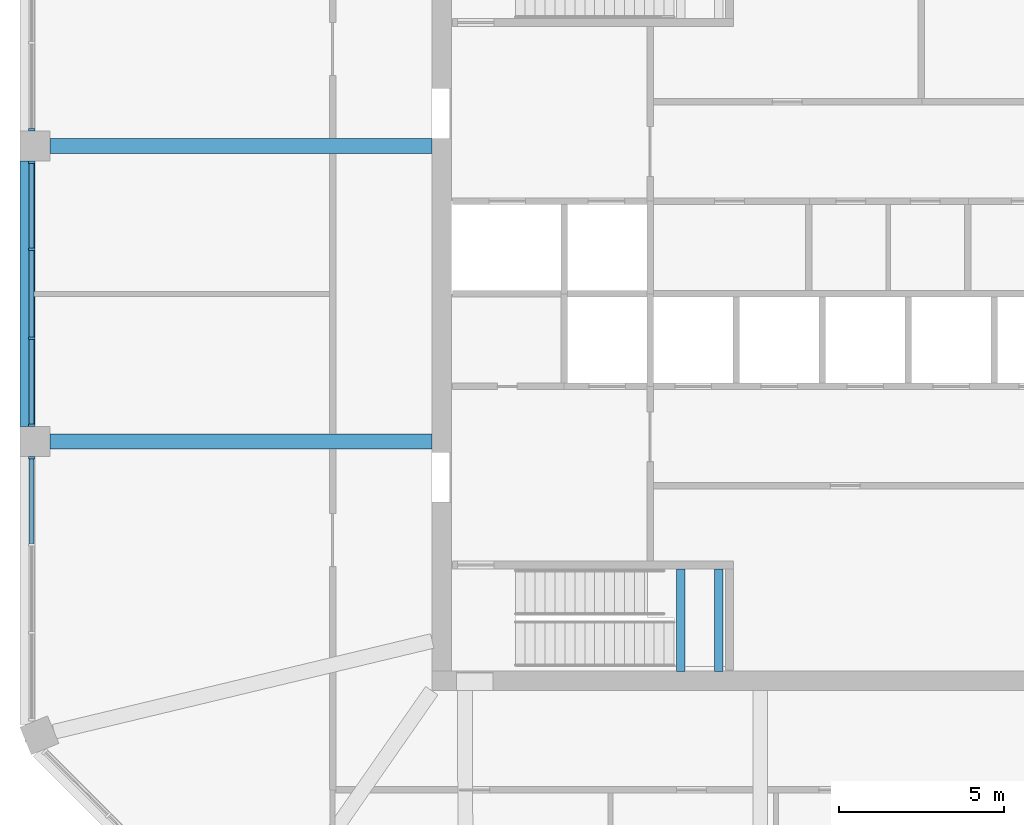
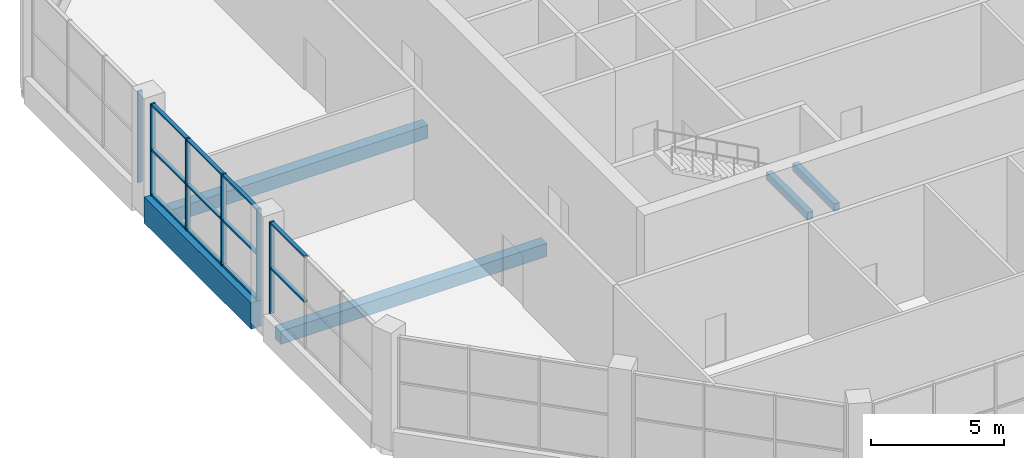
# One storey, part 3 of 15: 17 members, 5 beams, 3 elements without a shape of their own.
"""IFC4 building model written with IfcOpenShell, lengths in metres."""

import ifcopenshell
import ifcopenshell.guid

model = None  # the IFC model being written
_history = None  # IfcOwnerHistory: only IFC2X3 demands one
_inside = {}  # id of a spatial element -> (the spatial element, [elements in it])
_under = {}  # id of a project, library or spatial element -> (it, [spatial elements below it])
_declared = {}  # id of a project -> (the project, [libraries it declares])
_typed = {}  # id of a type object -> (the type object, [elements of that type])
_made_of = {}  # id of a material, layer set ... -> (it, [elements and type objects made of it])


def new_model(schema):
    """Start an empty IFC model of exactly this schema.

    Asked for "IFC4X3", IfcOpenShell would pick the latest addendum, in which some entities
    have other attributes; the version numbers below select the first issue.
    IFC2X3 requires an IfcOwnerHistory on every rooted entity: one is made here for all.
    """
    global model, _history
    if schema == "IFC4X3":
        model = ifcopenshell.file(schema_version=(4, 3, 0, 0))
    else:
        model = ifcopenshell.file(schema=schema)
    _inside.clear()
    _under.clear()
    _declared.clear()
    _typed.clear()
    _made_of.clear()
    _history = None
    if model.schema == "IFC2X3":
        org = make("IfcOrganization", Name="unknown")
        user = make(
            "IfcPersonAndOrganization",
            ThePerson=make("IfcPerson", FamilyName="unknown"),
            TheOrganization=org,
        )
        app = make(
            "IfcApplication",
            ApplicationDeveloper=org,
            Version="unknown",
            ApplicationFullName="unknown",
            ApplicationIdentifier="unknown",
        )
        _history = make(
            "IfcOwnerHistory",
            OwningUser=user,
            OwningApplication=app,
            ChangeAction="ADDED",
            CreationDate=0,
        )
    return model


def make(cls, **values):
    """One entity of the class cls with the attributes given. An attribute that is None is left unset."""
    return model.create_entity(
        cls, **{name: value for name, value in values.items() if value is not None}
    )


def rooted(cls, **values):
    """An entity with a GlobalId (a new one), such as an element, a storey or a relation."""
    return make(cls, GlobalId=ifcopenshell.guid.new(), OwnerHistory=_history, **values)


def si_unit(unit_type, name, prefix=None):
    """IfcSIUnit, for example si_unit("LENGTHUNIT", "METRE", prefix="MILLI")."""
    return make("IfcSIUnit", UnitType=unit_type, Prefix=prefix, Name=name)


def assignment(units):
    """IfcUnitAssignment: the units of a project."""
    return None if units is None else make("IfcUnitAssignment", Units=units)


def point(xyz):
    """IfcCartesianPoint."""
    return None if xyz is None else make("IfcCartesianPoint", Coordinates=xyz)


def direction(xyz):
    """IfcDirection."""
    return None if xyz is None else make("IfcDirection", DirectionRatios=xyz)


def frame(location, z_axis=None, x_axis=None):
    """IfcAxis2Placement3D, a coordinate frame: its origin and axes. An axis left out is left unset."""
    return make(
        "IfcAxis2Placement3D",
        Location=point(location),
        Axis=direction(z_axis),
        RefDirection=direction(x_axis),
    )


def frame_2d(location, x_axis=None):
    """IfcAxis2Placement2D, a coordinate frame in the plane: its origin and x axis."""
    return make(
        "IfcAxis2Placement2D", Location=point(location), RefDirection=direction(x_axis)
    )


def origin():
    """The frame at (0, 0, 0) with its axes left unset."""
    return frame((0.0, 0.0, 0.0))


def origin_2d():
    """The frame at (0, 0) in the plane with its x axis left unset."""
    return frame_2d((0.0, 0.0))


def place(relative_to, where):
    """IfcLocalPlacement: puts the frame where relative to a parent placement (None: the world)."""
    return make(
        "IfcLocalPlacement", PlacementRelTo=relative_to, RelativePlacement=where
    )


def context(
    kind, dimensions, precision=None, world=None, true_north=None, identifier=None
):
    """IfcGeometricRepresentationContext, for example the 3D "Model" context."""
    return make(
        "IfcGeometricRepresentationContext",
        ContextIdentifier=identifier,
        ContextType=kind,
        CoordinateSpaceDimension=dimensions,
        Precision=precision,
        WorldCoordinateSystem=world,
        TrueNorth=true_north,
    )


def subcontext(parent, identifier, kind, view, scale=None):
    """IfcGeometricRepresentationSubContext, for example "Body" below "Model"."""
    return make(
        "IfcGeometricRepresentationSubContext",
        ContextIdentifier=identifier,
        ContextType=kind,
        ParentContext=parent,
        TargetScale=scale,
        TargetView=view,
    )


def project(units=None, contexts=None):
    """IfcProject with its units and contexts."""
    return rooted(
        "IfcProject",
        Name="project",
        RepresentationContexts=contexts,
        UnitsInContext=assignment(units),
    )


def spatial(cls, under=None, at=None, **own):
    """A site, building, storey or space (cls), placed at a placement, below another one or the project."""
    s = rooted(cls, ObjectPlacement=at, **own)
    if under is not None:
        _under.setdefault(under.id(), (under, []))[1].append(s)
    return s


def profile(cls, at=None, kind="AREA", **sizes):
    """A parametric profile (cls). Its sizes go by their IFC names, for example OverallWidth=200.0."""
    return make(cls, ProfileType=kind, Position=at, **sizes)


def rectangle(**sizes):
    """IfcRectangleProfileDef."""
    return profile("IfcRectangleProfileDef", **sizes)


def extrude(swept, where, along, depth):
    """IfcExtrudedAreaSolid: the profile swept, set in the frame where, extruded along a direction by depth."""
    return make(
        "IfcExtrudedAreaSolid",
        SweptArea=swept,
        Position=where,
        ExtrudedDirection=direction(along),
        Depth=depth,
    )


def shape(context_of_items, identifier, shape_type, items):
    """IfcShapeRepresentation: the items that make up one representation, for example the "Body"."""
    return make(
        "IfcShapeRepresentation",
        ContextOfItems=context_of_items,
        RepresentationIdentifier=identifier,
        RepresentationType=shape_type,
        Items=items,
    )


def material(Name=None, Category=None):
    """IfcMaterial."""
    return make("IfcMaterial", Name=Name, Category=Category)


def material_profile(
    of_material, cross_section, Name=None, Category=None, Priority=None
):
    """IfcMaterialProfile: a cross section and its material."""
    return make(
        "IfcMaterialProfile",
        Name=Name,
        Material=of_material,
        Profile=cross_section,
        Priority=Priority,
        Category=Category,
    )


def profile_set(profiles, Name=None, composite=None):
    """IfcMaterialProfileSet."""
    return make(
        "IfcMaterialProfileSet",
        Name=Name,
        MaterialProfiles=profiles,
        CompositeProfile=composite,
    )


def made_of(thing, what):
    """Note that an element or type object is made of a material, layer set ...; save() writes the relation."""
    if what is not None:
        _made_of.setdefault(what.id(), (what, []))[1].append(thing)
    return thing


def type_object(cls, material=None, **own):
    """A type object (cls), such as IfcWallType, which elements share."""
    return made_of(rooted(cls, **own), material)


def element(
    cls,
    number,
    at=None,
    inside=None,
    cuts=None,
    type_object=None,
    material=None,
    context=None,
    identifier="Body",
    shape_type=None,
    held_by="IfcProductDefinitionShape",
    body=None,
    shapes=None,
    **own,
):
    """One element of the class cls, such as IfcWall. Its Tag is "e" and its number.

    at: its placement. inside: the storey or other place that contains it. cuts: it is an
    opening in that element (IfcRelVoidsElement). A single representation is given by context,
    identifier, shape_type and body (its items); several are given by shapes. held_by: the class
    of the entity that holds the representations. save() writes the other relations.
    """
    e = rooted(cls, Tag="e%d" % number, ObjectPlacement=at, **own)
    if body is not None:
        shapes = [shape(context, identifier, shape_type, body)]
    if shapes is not None:
        e.Representation = make(held_by, Representations=shapes)
    if inside is not None:
        _inside.setdefault(inside.id(), (inside, []))[1].append(e)
    if cuts is not None:
        rooted(
            "IfcRelVoidsElement", RelatingBuildingElement=cuts, RelatedOpeningElement=e
        )
    if type_object is not None:
        _typed.setdefault(type_object.id(), (type_object, []))[1].append(e)
    return made_of(e, material)


def aggregate(whole, parts):
    """IfcRelAggregates: a whole, such as a stair, and the parts it consists of."""
    return rooted("IfcRelAggregates", RelatingObject=whole, RelatedObjects=parts)


def save(model, path):
    """Write the relations noted so far, then the file.

    IfcRelAggregates (storeys below a building ...), IfcRelContainedInSpatialStructure (elements
    in a storey), IfcRelDefinesByType, IfcRelAssociatesMaterial and IfcRelDeclares: one each for
    every whole, place, type object, material and project.
    """
    for whole, parts in _under.values():
        aggregate(whole, parts)
    for where, things in _inside.values():
        rooted(
            "IfcRelContainedInSpatialStructure",
            RelatedElements=things,
            RelatingStructure=where,
        )
    for kind, things in _typed.values():
        rooted("IfcRelDefinesByType", RelatedObjects=things, RelatingType=kind)
    for what, things in _made_of.values():
        rooted("IfcRelAssociatesMaterial", RelatedObjects=things, RelatingMaterial=what)
    for by, libraries in _declared.values():
        rooted("IfcRelDeclares", RelatingContext=by, RelatedDefinitions=libraries)
    model.write(path)


model = new_model("IFC4")

# Units and contexts
model_context = context("Model", 3, precision=1e-05, world=origin(), true_north=direction((0.0, 1.0)))
body_context = subcontext(model_context, "Body", "Model", "MODEL_VIEW")
ifc_project = project(units=[si_unit("LENGTHUNIT", "METRE"), si_unit("AREAUNIT", "SQUARE_METRE"), si_unit("VOLUMEUNIT", "CUBIC_METRE"), si_unit("PLANEANGLEUNIT", "RADIAN"), si_unit("MASSUNIT", "GRAM", prefix="KILO")], contexts=[model_context])

# Site, building, storey
site_placement = place(None, origin())
site = spatial("IfcSite", under=ifc_project, at=site_placement, CompositionType="ELEMENT")
building_placement = place(site_placement, origin())
building = spatial("IfcBuilding", under=site, at=building_placement, Name="Msitu Wima Residences", CompositionType="ELEMENT")
storey_placement = place(building_placement, frame((0.0, 0.0, 314.699951171875)))
storey = spatial("IfcBuildingStorey", under=building, at=storey_placement, Name="L73", CompositionType="ELEMENT", Elevation=314.699951171875)

# Beams
ifc_material_1 = material(Name="Concrete C50/60", Category="concrete")
ifc_material_profile_1 = material_profile(ifc_material_1, rectangle(XDim=0.449951171875, YDim=0.60009765625, at=origin_2d()), Name="RC 450x600")
ifc_profile_set_1 = profile_set([ifc_material_profile_1], Name="Concrete C50/60")
beam_type_1 = type_object("IfcBeamType", Name="Beam RC 450x600 Concrete C50/60", PredefinedType="BEAM", material=ifc_profile_set_1)
for number, where, z_axis, x_axis, name in (
    (1, (-25.949951171875, 4.46875, -0.599853515625), (1.0, 0.0, 0.0), (0.0, 1.0, 0.0), "Beam L73 C-W1"),
    (2, (-25.949951171875, -4.46875, -0.599853515625), (1.0, 0.0, 0.0), (0.0, 1.0, 0.0), "Beam L73 C-W2"),
):
    element("IfcBeam", number, at=place(storey_placement, frame(where, z_axis=z_axis, x_axis=x_axis)), inside=storey, type_object=beam_type_1, Name=name, PredefinedType="BEAM", context=body_context, shape_type="SweptSolid", body=[
        extrude(rectangle(XDim=0.449951171875, YDim=0.60009765625, at=origin_2d()), origin(), (0.0, 0.0, 1.0), 11.550048828125),
    ])
ifc_material_2 = material(Name="Concrete C40/50", Category="concrete")
ifc_material_profile_2 = material_profile(ifc_material_2, rectangle(XDim=0.25, YDim=0.35009765625, at=origin_2d()), Name="RC 250x350")
ifc_profile_set_2 = profile_set([ifc_material_profile_2], Name="Concrete C40/50")
beam_type_2 = type_object("IfcBeamType", Name="Landing beam RC 250x350", PredefinedType="BEAM", material=ifc_profile_set_2)
for number, where, z_axis, x_axis, name in (
    (3, (-6.875, -11.425048828125, 2.406982421875), (0.0, 1.0, 0.0), (-1.0, 0.0, 0.0), "Stair 2 landing beam"),
    (4, (-5.72509765625, -11.425048828125, 2.406982421875), (0.0, 1.0, 0.0), (-1.0, 0.0, 0.0), "Stair 2 landing beam"),
):
    element("IfcBeam", number, at=place(storey_placement, frame(where, z_axis=z_axis, x_axis=x_axis)), inside=storey, type_object=beam_type_2, Name=name, PredefinedType="BEAM", context=body_context, shape_type="SweptSolid", body=[
        extrude(rectangle(XDim=0.25, YDim=0.35009765625, at=origin_2d()), origin(), (0.0, 0.0, 1.0), 3.10009765625),
    ])

# Curtain wall, member
ifc_material_3 = material(Name="Anodised aluminium, bronze finish, solar control laminated double glazing", Category="aluminium")
curtain_wall_type = type_object("IfcCurtainWallType", Name="Curtain wall CW3 top lounge wall", PredefinedType="NOTDEFINED", material=ifc_material_3)
curtain_wall_1_placement = place(storey_placement, origin())
curtain_wall_1 = element("IfcCurtainWall", 5, at=curtain_wall_1_placement, inside=storey, type_object=curtain_wall_type, Name="Curtain wall CW3 L73 W0", PredefinedType="NOTDEFINED")
ifc_material_4 = material(Name="Anodised aluminium, bronze finish", Category="aluminium")
ifc_material_profile_3 = material_profile(ifc_material_4, rectangle(XDim=0.199951171875, YDim=0.074951171875, at=origin_2d()), Name="Mullion 75x200")
ifc_profile_set_3 = profile_set([ifc_material_profile_3], Name="Anodised aluminium, bronze finish")
member_type_1 = type_object("IfcMemberType", Name="Mullion CW3 75x200", PredefinedType="MULLION", material=ifc_profile_set_3)
member_1_placement = place(storey_placement, frame((-26.5, 4.9560546875, 0.900146484375), z_axis=(0.0, 0.0, 1.0), x_axis=(1.0, 0.0, 0.0)))
member_1 = element("IfcMember", 6, at=member_1_placement, type_object=member_type_1, Name="CW3 mullion 4", PredefinedType="MULLION", context=body_context, shape_type="SweptSolid", body=[
    extrude(rectangle(XDim=0.199951171875, YDim=0.074951171875, at=origin_2d()), origin(), (0.0, 0.0, 1.0), 4.199951171875),
])
aggregate(curtain_wall_1, [member_1])

# Curtain wall, members
curtain_wall_2_placement = place(storey_placement, origin())
curtain_wall_2 = element("IfcCurtainWall", 7, at=curtain_wall_2_placement, inside=storey, type_object=curtain_wall_type, Name="Curtain wall CW3 L73 W1", PredefinedType="NOTDEFINED")
member_2_placement = place(storey_placement, frame((-26.5, 3.981201171875, 0.900146484375), z_axis=(0.0, 0.0, 1.0), x_axis=(1.0, 0.0, 0.0)))
member_2 = element("IfcMember", 8, at=member_2_placement, type_object=member_type_1, Name="CW3 mullion 1", PredefinedType="MULLION", context=body_context, shape_type="SweptSolid", body=[
    extrude(rectangle(XDim=0.199951171875, YDim=0.074951171875, at=origin_2d()), origin(), (0.0, 0.0, 1.0), 4.199951171875),
])
member_3_placement = place(storey_placement, frame((-26.5, 1.339599609375, 0.900146484375), z_axis=(0.0, 0.0, 1.0), x_axis=(1.0, 0.0, 0.0)))
member_3 = element("IfcMember", 9, at=member_3_placement, type_object=member_type_1, Name="CW3 mullion 2", PredefinedType="MULLION", context=body_context, shape_type="SweptSolid", body=[
    extrude(rectangle(XDim=0.199951171875, YDim=0.074951171875, at=origin_2d()), origin(), (0.0, 0.0, 1.0), 4.199951171875),
])
member_4_placement = place(storey_placement, frame((-26.5, -1.339599609375, 0.900146484375), z_axis=(0.0, 0.0, 1.0), x_axis=(1.0, 0.0, 0.0)))
member_4 = element("IfcMember", 10, at=member_4_placement, type_object=member_type_1, Name="CW3 mullion 3", PredefinedType="MULLION", context=body_context, shape_type="SweptSolid", body=[
    extrude(rectangle(XDim=0.199951171875, YDim=0.074951171875, at=origin_2d()), origin(), (0.0, 0.0, 1.0), 4.199951171875),
])
member_5_placement = place(storey_placement, frame((-26.5, -3.981201171875, 0.900146484375), z_axis=(0.0, 0.0, 1.0), x_axis=(1.0, 0.0, 0.0)))
member_5 = element("IfcMember", 11, at=member_5_placement, type_object=member_type_1, Name="CW3 mullion 4", PredefinedType="MULLION", context=body_context, shape_type="SweptSolid", body=[
    extrude(rectangle(XDim=0.199951171875, YDim=0.074951171875, at=origin_2d()), origin(), (0.0, 0.0, 1.0), 4.199951171875),
])

# Curtain wall, member
curtain_wall_3_placement = place(storey_placement, origin())
curtain_wall_3 = element("IfcCurtainWall", 12, at=curtain_wall_3_placement, inside=storey, type_object=curtain_wall_type, Name="Curtain wall CW3 L73 W2", PredefinedType="NOTDEFINED")
member_6_placement = place(storey_placement, frame((-26.5, -4.9560546875, 0.900146484375), z_axis=(0.0, 0.0, 1.0), x_axis=(1.0, 0.0, 0.0)))
member_6 = element("IfcMember", 13, at=member_6_placement, type_object=member_type_1, Name="CW3 mullion 1", PredefinedType="MULLION", context=body_context, shape_type="SweptSolid", body=[
    extrude(rectangle(XDim=0.199951171875, YDim=0.074951171875, at=origin_2d()), origin(), (0.0, 0.0, 1.0), 4.199951171875),
])

# Beam
ifc_material_profile_4 = material_profile(ifc_material_1, rectangle(XDim=0.449951171875, YDim=1.199951171875, at=origin_2d()), Name="RC 450x1200")
ifc_profile_set_4 = profile_set([ifc_material_profile_4], Name="Concrete C50/60")
beam_type_3 = type_object("IfcBeamType", Name="Spandrel RC 450x1200 Concrete C50/60", PredefinedType="SPANDREL", material=ifc_profile_set_4)
beam_placement = place(storey_placement, frame((-26.625, 4.0185546875, 0.300048828125), z_axis=(0.0, -1.0, 0.0), x_axis=(1.0, 0.0, 0.0)))
element("IfcBeam", 14, at=beam_placement, inside=storey, type_object=beam_type_3, Name="Spandrel L73 W1", PredefinedType="SPANDREL", context=body_context, shape_type="SweptSolid", body=[
    extrude(rectangle(XDim=0.449951171875, YDim=1.199951171875, at=origin_2d()), origin(), (0.0, 0.0, 1.0), 8.037109375),
])

# Member
ifc_material_profile_5 = material_profile(ifc_material_4, rectangle(XDim=0.159912109375, YDim=0.074951171875, at=origin_2d()), Name="Transom 75x160")
ifc_profile_set_5 = profile_set([ifc_material_profile_5], Name="Anodised aluminium, bronze finish")
member_type_2 = type_object("IfcMemberType", Name="Transom CW3 75x160", PredefinedType="USERDEFINED", material=ifc_profile_set_5)
member_7_placement = place(storey_placement, frame((-26.5, 3.943603515625, 0.9375), z_axis=(0.0, -1.0, 0.0), x_axis=(1.0, 0.0, 0.0)))
member_7 = element("IfcMember", 15, at=member_7_placement, type_object=member_type_2, Name="CW3 transom 1.1", ObjectType="TRANSOM", PredefinedType="USERDEFINED", context=body_context, shape_type="SweptSolid", body=[
    extrude(rectangle(XDim=0.159912109375, YDim=0.074951171875, at=origin_2d()), origin(), (0.0, 0.0, 1.0), 2.566650390625),
])

member_8_placement = place(storey_placement, frame((-26.5, 3.943603515625, 3.0), z_axis=(0.0, -1.0, 0.0), x_axis=(1.0, 0.0, 0.0)))
member_8 = element("IfcMember", 16, at=member_8_placement, type_object=member_type_2, Name="CW3 transom 1.2", ObjectType="TRANSOM", PredefinedType="USERDEFINED", context=body_context, shape_type="SweptSolid", body=[
    extrude(rectangle(XDim=0.159912109375, YDim=0.074951171875, at=origin_2d()), origin(), (0.0, 0.0, 1.0), 2.566650390625),
])

member_9_placement = place(storey_placement, frame((-26.5, 3.943603515625, 5.0625), z_axis=(0.0, -1.0, 0.0), x_axis=(1.0, 0.0, 0.0)))
member_9 = element("IfcMember", 17, at=member_9_placement, type_object=member_type_2, Name="CW3 transom 1.3", ObjectType="TRANSOM", PredefinedType="USERDEFINED", context=body_context, shape_type="SweptSolid", body=[
    extrude(rectangle(XDim=0.159912109375, YDim=0.074951171875, at=origin_2d()), origin(), (0.0, 0.0, 1.0), 2.566650390625),
])

member_10_placement = place(storey_placement, frame((-26.5, 1.302001953125, 0.9375), z_axis=(0.0, -1.0, 0.0), x_axis=(1.0, 0.0, 0.0)))
member_10 = element("IfcMember", 18, at=member_10_placement, type_object=member_type_2, Name="CW3 transom 2.1", ObjectType="TRANSOM", PredefinedType="USERDEFINED", context=body_context, shape_type="SweptSolid", body=[
    extrude(rectangle(XDim=0.159912109375, YDim=0.074951171875, at=origin_2d()), origin(), (0.0, 0.0, 1.0), 2.60400390625),
])

member_11_placement = place(storey_placement, frame((-26.5, 1.302001953125, 3.0), z_axis=(0.0, -1.0, 0.0), x_axis=(1.0, 0.0, 0.0)))
member_11 = element("IfcMember", 19, at=member_11_placement, type_object=member_type_2, Name="CW3 transom 2.2", ObjectType="TRANSOM", PredefinedType="USERDEFINED", context=body_context, shape_type="SweptSolid", body=[
    extrude(rectangle(XDim=0.159912109375, YDim=0.074951171875, at=origin_2d()), origin(), (0.0, 0.0, 1.0), 2.60400390625),
])

member_12_placement = place(storey_placement, frame((-26.5, 1.302001953125, 5.0625), z_axis=(0.0, -1.0, 0.0), x_axis=(1.0, 0.0, 0.0)))
member_12 = element("IfcMember", 20, at=member_12_placement, type_object=member_type_2, Name="CW3 transom 2.3", ObjectType="TRANSOM", PredefinedType="USERDEFINED", context=body_context, shape_type="SweptSolid", body=[
    extrude(rectangle(XDim=0.159912109375, YDim=0.074951171875, at=origin_2d()), origin(), (0.0, 0.0, 1.0), 2.60400390625),
])

member_13_placement = place(storey_placement, frame((-26.5, -1.376953125, 0.9375), z_axis=(0.0, -1.0, 0.0), x_axis=(1.0, 0.0, 0.0)))
member_13 = element("IfcMember", 21, at=member_13_placement, type_object=member_type_2, Name="CW3 transom 3.1", ObjectType="TRANSOM", PredefinedType="USERDEFINED", context=body_context, shape_type="SweptSolid", body=[
    extrude(rectangle(XDim=0.159912109375, YDim=0.074951171875, at=origin_2d()), origin(), (0.0, 0.0, 1.0), 2.566650390625),
])

member_14_placement = place(storey_placement, frame((-26.5, -1.376953125, 3.0), z_axis=(0.0, -1.0, 0.0), x_axis=(1.0, 0.0, 0.0)))
member_14 = element("IfcMember", 22, at=member_14_placement, type_object=member_type_2, Name="CW3 transom 3.2", ObjectType="TRANSOM", PredefinedType="USERDEFINED", context=body_context, shape_type="SweptSolid", body=[
    extrude(rectangle(XDim=0.159912109375, YDim=0.074951171875, at=origin_2d()), origin(), (0.0, 0.0, 1.0), 2.566650390625),
])

member_15_placement = place(storey_placement, frame((-26.5, -1.376953125, 5.0625), z_axis=(0.0, -1.0, 0.0), x_axis=(1.0, 0.0, 0.0)))
member_15 = element("IfcMember", 23, at=member_15_placement, type_object=member_type_2, Name="CW3 transom 3.3", ObjectType="TRANSOM", PredefinedType="USERDEFINED", context=body_context, shape_type="SweptSolid", body=[
    extrude(rectangle(XDim=0.159912109375, YDim=0.074951171875, at=origin_2d()), origin(), (0.0, 0.0, 1.0), 2.566650390625),
])

aggregate(curtain_wall_2, [member_2, member_3, member_4, member_5, member_7, member_8, member_9, member_10, member_11, member_12, member_13, member_14, member_15])

member_16_placement = place(storey_placement, frame((-26.5, -4.99365234375, 3.0), z_axis=(0.0, -1.0, 0.0), x_axis=(1.0, 0.0, 0.0)))
member_16 = element("IfcMember", 24, at=member_16_placement, type_object=member_type_2, Name="CW3 transom 1.2", ObjectType="TRANSOM", PredefinedType="USERDEFINED", context=body_context, shape_type="SweptSolid", body=[
    extrude(rectangle(XDim=0.159912109375, YDim=0.074951171875, at=origin_2d()), origin(), (0.0, 0.0, 1.0), 2.55419921875),
])

member_17_placement = place(storey_placement, frame((-26.5, -4.99365234375, 5.0625), z_axis=(0.0, -1.0, 0.0), x_axis=(1.0, 0.0, 0.0)))
member_17 = element("IfcMember", 25, at=member_17_placement, type_object=member_type_2, Name="CW3 transom 1.3", ObjectType="TRANSOM", PredefinedType="USERDEFINED", context=body_context, shape_type="SweptSolid", body=[
    extrude(rectangle(XDim=0.159912109375, YDim=0.074951171875, at=origin_2d()), origin(), (0.0, 0.0, 1.0), 2.55419921875),
])

aggregate(curtain_wall_3, [member_6, member_16, member_17])

save(model, "model.ifc")
